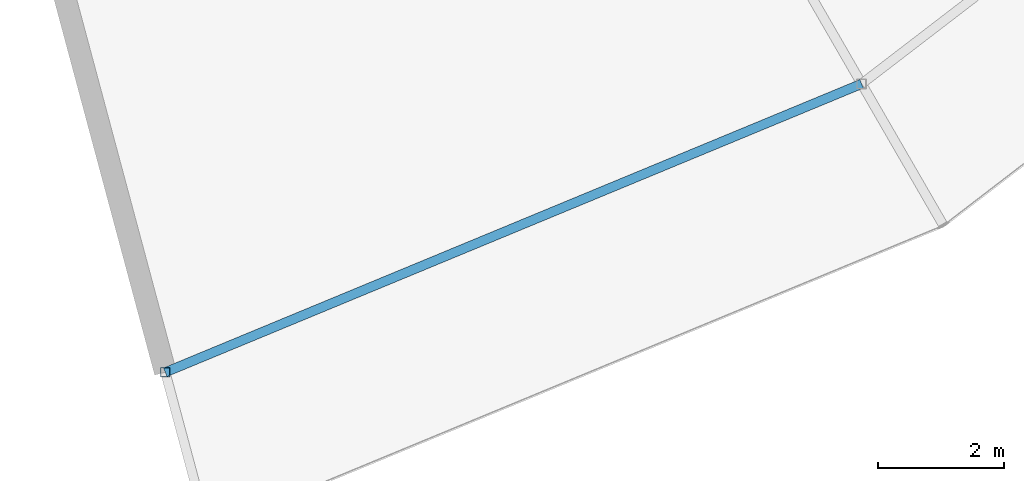
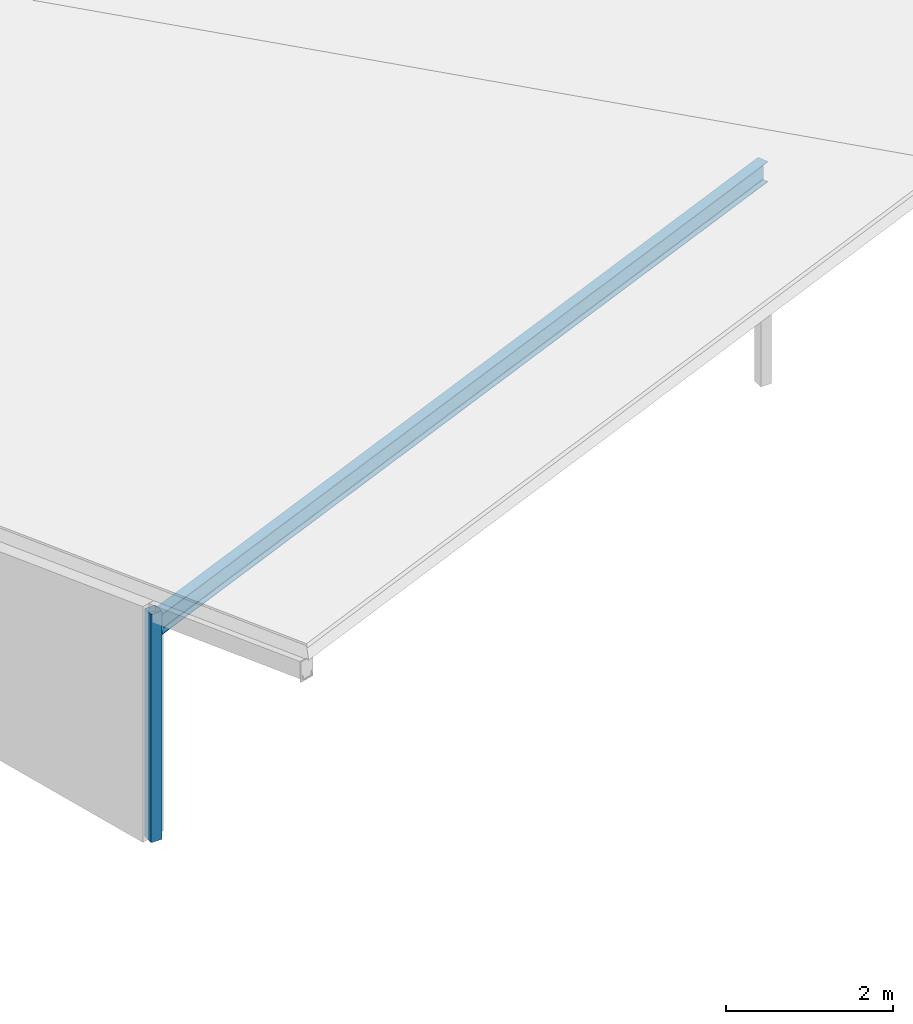
# One storey, part 42 of 185: 1 beam, 1 member.
"""IFC4 building model written with IfcOpenShell, lengths in metres."""

import ifcopenshell
import ifcopenshell.guid

model = None  # the IFC model being written
_history = None  # IfcOwnerHistory: only IFC2X3 demands one
_inside = {}  # id of a spatial element -> (the spatial element, [elements in it])
_under = {}  # id of a project, library or spatial element -> (it, [spatial elements below it])
_declared = {}  # id of a project -> (the project, [libraries it declares])
_typed = {}  # id of a type object -> (the type object, [elements of that type])
_made_of = {}  # id of a material, layer set ... -> (it, [elements and type objects made of it])


def new_model(schema):
    """Start an empty IFC model of exactly this schema.

    Asked for "IFC4X3", IfcOpenShell would pick the latest addendum, in which some entities
    have other attributes; the version numbers below select the first issue.
    IFC2X3 requires an IfcOwnerHistory on every rooted entity: one is made here for all.
    """
    global model, _history
    if schema == "IFC4X3":
        model = ifcopenshell.file(schema_version=(4, 3, 0, 0))
    else:
        model = ifcopenshell.file(schema=schema)
    _inside.clear()
    _under.clear()
    _declared.clear()
    _typed.clear()
    _made_of.clear()
    _history = None
    if model.schema == "IFC2X3":
        org = make("IfcOrganization", Name="unknown")
        user = make(
            "IfcPersonAndOrganization",
            ThePerson=make("IfcPerson", FamilyName="unknown"),
            TheOrganization=org,
        )
        app = make(
            "IfcApplication",
            ApplicationDeveloper=org,
            Version="unknown",
            ApplicationFullName="unknown",
            ApplicationIdentifier="unknown",
        )
        _history = make(
            "IfcOwnerHistory",
            OwningUser=user,
            OwningApplication=app,
            ChangeAction="ADDED",
            CreationDate=0,
        )
    return model


def make(cls, **values):
    """One entity of the class cls with the attributes given. An attribute that is None is left unset."""
    return model.create_entity(
        cls, **{name: value for name, value in values.items() if value is not None}
    )


def rooted(cls, **values):
    """An entity with a GlobalId (a new one), such as an element, a storey or a relation."""
    return make(cls, GlobalId=ifcopenshell.guid.new(), OwnerHistory=_history, **values)


def si_unit(unit_type, name, prefix=None):
    """IfcSIUnit, for example si_unit("LENGTHUNIT", "METRE", prefix="MILLI")."""
    return make("IfcSIUnit", UnitType=unit_type, Prefix=prefix, Name=name)


def assignment(units):
    """IfcUnitAssignment: the units of a project."""
    return None if units is None else make("IfcUnitAssignment", Units=units)


def point(xyz):
    """IfcCartesianPoint."""
    return None if xyz is None else make("IfcCartesianPoint", Coordinates=xyz)


def direction(xyz):
    """IfcDirection."""
    return None if xyz is None else make("IfcDirection", DirectionRatios=xyz)


def frame(location, z_axis=None, x_axis=None):
    """IfcAxis2Placement3D, a coordinate frame: its origin and axes. An axis left out is left unset."""
    return make(
        "IfcAxis2Placement3D",
        Location=point(location),
        Axis=direction(z_axis),
        RefDirection=direction(x_axis),
    )


def frame_2d(location, x_axis=None):
    """IfcAxis2Placement2D, a coordinate frame in the plane: its origin and x axis."""
    return make(
        "IfcAxis2Placement2D", Location=point(location), RefDirection=direction(x_axis)
    )


def origin():
    """The frame at (0, 0, 0) with its axes left unset."""
    return frame((0.0, 0.0, 0.0))


def origin_2d():
    """The frame at (0, 0) in the plane with its x axis left unset."""
    return frame_2d((0.0, 0.0))


def place(relative_to, where):
    """IfcLocalPlacement: puts the frame where relative to a parent placement (None: the world)."""
    return make(
        "IfcLocalPlacement", PlacementRelTo=relative_to, RelativePlacement=where
    )


def context(
    kind, dimensions, precision=None, world=None, true_north=None, identifier=None
):
    """IfcGeometricRepresentationContext, for example the 3D "Model" context."""
    return make(
        "IfcGeometricRepresentationContext",
        ContextIdentifier=identifier,
        ContextType=kind,
        CoordinateSpaceDimension=dimensions,
        Precision=precision,
        WorldCoordinateSystem=world,
        TrueNorth=true_north,
    )


def subcontext(parent, identifier, kind, view, scale=None):
    """IfcGeometricRepresentationSubContext, for example "Body" below "Model"."""
    return make(
        "IfcGeometricRepresentationSubContext",
        ContextIdentifier=identifier,
        ContextType=kind,
        ParentContext=parent,
        TargetScale=scale,
        TargetView=view,
    )


def project(units=None, contexts=None):
    """IfcProject with its units and contexts."""
    return rooted(
        "IfcProject",
        Name="project",
        RepresentationContexts=contexts,
        UnitsInContext=assignment(units),
    )


def spatial(cls, under=None, at=None, **own):
    """A site, building, storey or space (cls), placed at a placement, below another one or the project."""
    s = rooted(cls, ObjectPlacement=at, **own)
    if under is not None:
        _under.setdefault(under.id(), (under, []))[1].append(s)
    return s


def profile(cls, at=None, kind="AREA", **sizes):
    """A parametric profile (cls). Its sizes go by their IFC names, for example OverallWidth=200.0."""
    return make(cls, ProfileType=kind, Position=at, **sizes)


def hollow_rectangle(**sizes):
    """IfcRectangleHollowProfileDef."""
    return profile("IfcRectangleHollowProfileDef", **sizes)


def i_section(**sizes):
    """IfcIShapeProfileDef."""
    return profile("IfcIShapeProfileDef", **sizes)


def extrude(swept, where, along, depth):
    """IfcExtrudedAreaSolid: the profile swept, set in the frame where, extruded along a direction by depth."""
    return make(
        "IfcExtrudedAreaSolid",
        SweptArea=swept,
        Position=where,
        ExtrudedDirection=direction(along),
        Depth=depth,
    )


def shape(context_of_items, identifier, shape_type, items):
    """IfcShapeRepresentation: the items that make up one representation, for example the "Body"."""
    return make(
        "IfcShapeRepresentation",
        ContextOfItems=context_of_items,
        RepresentationIdentifier=identifier,
        RepresentationType=shape_type,
        Items=items,
    )


def material(Name=None, Category=None):
    """IfcMaterial."""
    return make("IfcMaterial", Name=Name, Category=Category)


def material_profile(
    of_material, cross_section, Name=None, Category=None, Priority=None
):
    """IfcMaterialProfile: a cross section and its material."""
    return make(
        "IfcMaterialProfile",
        Name=Name,
        Material=of_material,
        Profile=cross_section,
        Priority=Priority,
        Category=Category,
    )


def profile_set(profiles, Name=None, composite=None):
    """IfcMaterialProfileSet."""
    return make(
        "IfcMaterialProfileSet",
        Name=Name,
        MaterialProfiles=profiles,
        CompositeProfile=composite,
    )


def made_of(thing, what):
    """Note that an element or type object is made of a material, layer set ...; save() writes the relation."""
    if what is not None:
        _made_of.setdefault(what.id(), (what, []))[1].append(thing)
    return thing


def type_object(cls, material=None, **own):
    """A type object (cls), such as IfcWallType, which elements share."""
    return made_of(rooted(cls, **own), material)


def element(
    cls,
    number,
    at=None,
    inside=None,
    cuts=None,
    type_object=None,
    material=None,
    context=None,
    identifier="Body",
    shape_type=None,
    held_by="IfcProductDefinitionShape",
    body=None,
    shapes=None,
    **own,
):
    """One element of the class cls, such as IfcWall. Its Tag is "e" and its number.

    at: its placement. inside: the storey or other place that contains it. cuts: it is an
    opening in that element (IfcRelVoidsElement). A single representation is given by context,
    identifier, shape_type and body (its items); several are given by shapes. held_by: the class
    of the entity that holds the representations. save() writes the other relations.
    """
    e = rooted(cls, Tag="e%d" % number, ObjectPlacement=at, **own)
    if body is not None:
        shapes = [shape(context, identifier, shape_type, body)]
    if shapes is not None:
        e.Representation = make(held_by, Representations=shapes)
    if inside is not None:
        _inside.setdefault(inside.id(), (inside, []))[1].append(e)
    if cuts is not None:
        rooted(
            "IfcRelVoidsElement", RelatingBuildingElement=cuts, RelatedOpeningElement=e
        )
    if type_object is not None:
        _typed.setdefault(type_object.id(), (type_object, []))[1].append(e)
    return made_of(e, material)


def aggregate(whole, parts):
    """IfcRelAggregates: a whole, such as a stair, and the parts it consists of."""
    return rooted("IfcRelAggregates", RelatingObject=whole, RelatedObjects=parts)


def save(model, path):
    """Write the relations noted so far, then the file.

    IfcRelAggregates (storeys below a building ...), IfcRelContainedInSpatialStructure (elements
    in a storey), IfcRelDefinesByType, IfcRelAssociatesMaterial and IfcRelDeclares: one each for
    every whole, place, type object, material and project.
    """
    for whole, parts in _under.values():
        aggregate(whole, parts)
    for where, things in _inside.values():
        rooted(
            "IfcRelContainedInSpatialStructure",
            RelatedElements=things,
            RelatingStructure=where,
        )
    for kind, things in _typed.values():
        rooted("IfcRelDefinesByType", RelatedObjects=things, RelatingType=kind)
    for what, things in _made_of.values():
        rooted("IfcRelAssociatesMaterial", RelatedObjects=things, RelatingMaterial=what)
    for by, libraries in _declared.values():
        rooted("IfcRelDeclares", RelatingContext=by, RelatedDefinitions=libraries)
    model.write(path)


model = new_model("IFC4")

# Units and contexts
model_context = context("Model", 3, precision=1e-05, world=origin(), true_north=direction((0.0, 1.0)))
body_context = subcontext(model_context, "Body", "Model", "MODEL_VIEW")
ifc_project = project(units=[si_unit("LENGTHUNIT", "METRE"), si_unit("AREAUNIT", "SQUARE_METRE"), si_unit("VOLUMEUNIT", "CUBIC_METRE"), si_unit("PLANEANGLEUNIT", "RADIAN"), si_unit("MASSUNIT", "GRAM", prefix="KILO")], contexts=[model_context])

# Site, building, storey
site_placement = place(None, origin())
site = spatial("IfcSite", under=ifc_project, at=site_placement, CompositionType="ELEMENT")
building_placement = place(site_placement, origin())
building = spatial("IfcBuilding", under=site, at=building_placement, Name="Vondelvale Polytechnic", CompositionType="ELEMENT")
storey_placement = place(building_placement, frame((0.0, 0.0, 9.60009765625)))
storey = spatial("IfcBuildingStorey", under=building, at=storey_placement, Name="L02", CompositionType="ELEMENT", Elevation=9.60009765625)

# Beam
ifc_material_1 = material(Name="Steel 300PLUS (fy = 300 MPa)", Category="steel")
ifc_material_profile_1 = material_profile(ifc_material_1, i_section(OverallWidth=0.14892578125, OverallDepth=0.298095703125, WebThickness=0.005615234375, FlangeThickness=0.008056640625, FilletRadius=0.011474609375, at=origin_2d()), Name="310UB32.0")
ifc_profile_set_1 = profile_set([ifc_material_profile_1], Name="Steel 300PLUS (fy = 300 MPa)")
beam_type = type_object("IfcBeamType", Name="BM-UB310L", PredefinedType="BEAM", material=ifc_profile_set_1)
beam_placement = place(storey_placement, frame((113.90576171875, 27.5673828125, 3.110595703125), z_axis=(0.923877323614, 0.382688765072, 0.0), x_axis=(-0.382688765072, 0.923877323614, 0.0)))
element("IfcBeam", 1, at=beam_placement, inside=storey, type_object=beam_type, Name="L02 RE B-25", PredefinedType="BEAM", context=body_context, shape_type="SweptSolid", body=[
    extrude(i_section(OverallWidth=0.14892578125, OverallDepth=0.298095703125, WebThickness=0.005615234375, FlangeThickness=0.008056640625, FilletRadius=0.011474609375, at=origin_2d()), origin(), (0.0, 0.0, 1.0), 12.00830078125),
])

# Member
ifc_material_2 = material(Name="Steel C350L0 (fy = 350 MPa)", Category="steel")
ifc_material_profile_2 = material_profile(ifc_material_2, hollow_rectangle(XDim=0.14990234375, YDim=0.14990234375, WallThickness=0.006103515625, at=origin_2d()), Name="150x150x6.0SHS")
ifc_profile_set_2 = profile_set([ifc_material_profile_2], Name="Steel C350L0 (fy = 350 MPa)")
member_type = type_object("IfcMemberType", Name="ROOF TRUSS POST 150SHS", PredefinedType="POST", material=ifc_profile_set_2)
member_placement = place(storey_placement, frame((113.90576171875, 27.5673828125, 0.0), z_axis=(0.0, 0.0, 1.0), x_axis=(1.0, 0.0, 0.0)))
element("IfcMember", 2, at=member_placement, inside=storey, type_object=member_type, Name="Ring outer roof post 19", PredefinedType="POST", context=body_context, shape_type="SweptSolid", body=[
    extrude(hollow_rectangle(XDim=0.14990234375, YDim=0.14990234375, WallThickness=0.006103515625, at=origin_2d()), origin(), (0.0, 0.0, 1.0), 3.339599609375),
])

save(model, "model.ifc")
